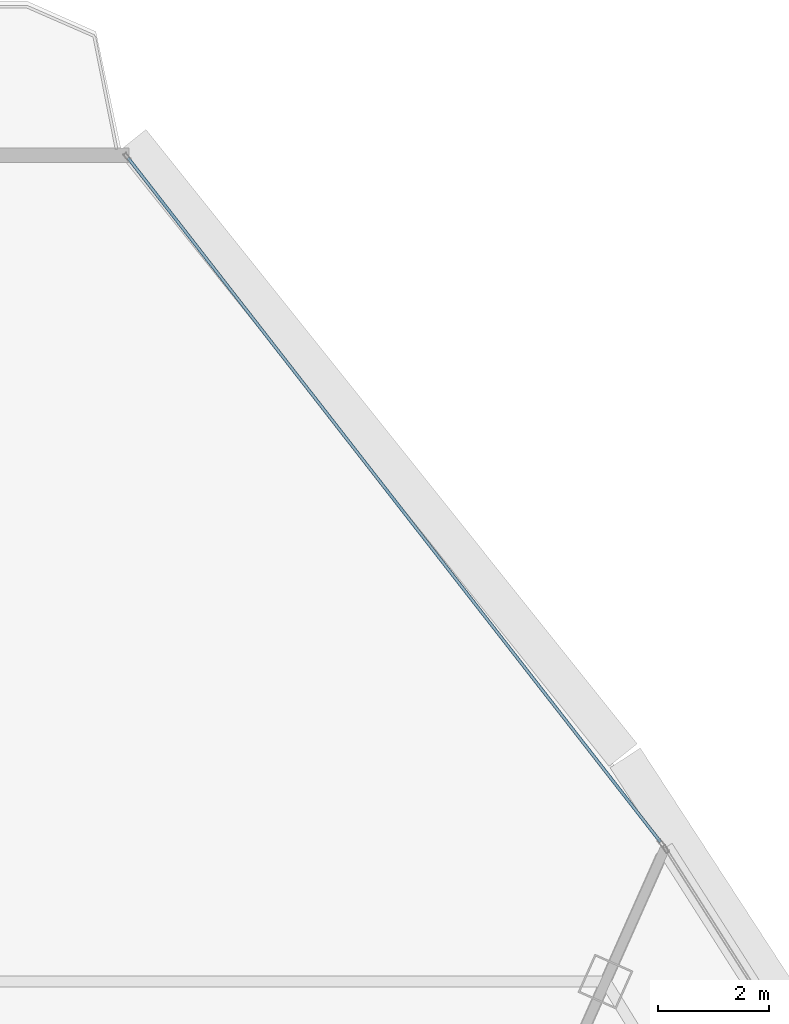
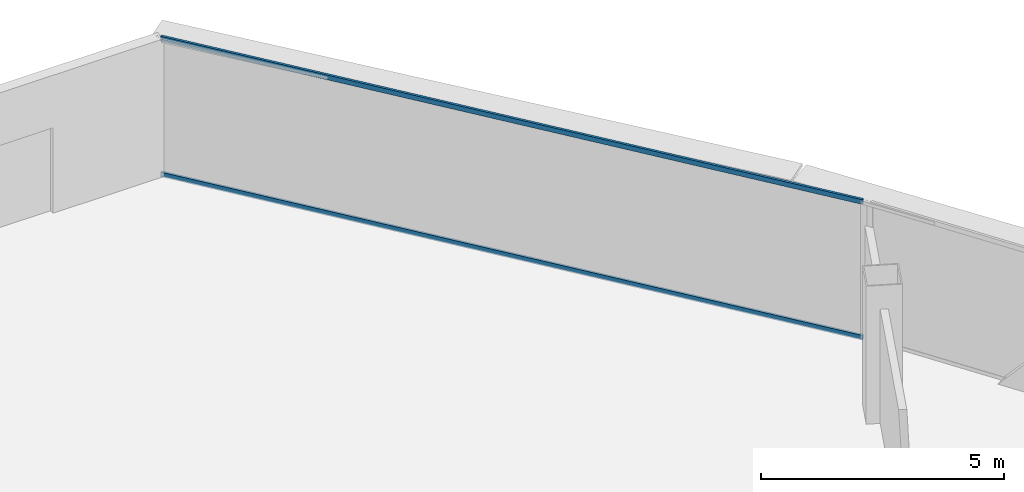
# One storey, part 27 of 40: 2 members, 1 element without a shape of its own.
"""IFC4 building model written with IfcOpenShell, lengths in metres."""

from ifc_helpers import new_model, si_unit, direction, frame, origin, origin_2d, place, context, subcontext, project, spatial, hollow_rectangle, extrude, source, transform, mapped, material, layer, layer_set, material_profile, profile_set, type_object, element, aggregate, save


model = new_model("IFC4")

# Units and contexts
model_context = context("Model", 3, precision=1e-05, world=origin(), true_north=direction((0.0, 1.0)))
body_context = subcontext(model_context, "Body", "Model", "MODEL_VIEW")
ifc_project = project(units=[si_unit("LENGTHUNIT", "METRE"), si_unit("AREAUNIT", "SQUARE_METRE"), si_unit("VOLUMEUNIT", "CUBIC_METRE"), si_unit("PLANEANGLEUNIT", "RADIAN"), si_unit("MASSUNIT", "GRAM", prefix="KILO"), si_unit("THERMODYNAMICTEMPERATUREUNIT", "KELVIN"), si_unit("POWERUNIT", "WATT")], contexts=[model_context])

# Site, building, storey
site_placement = place(None, origin())
site = spatial("IfcSite", under=ifc_project, at=site_placement, CompositionType="ELEMENT")
building_placement = place(site_placement, origin())
building = spatial("IfcBuilding", under=site, at=building_placement, Name="Yunzhuo Pagoda Commons", CompositionType="ELEMENT")
storey_placement = place(building_placement, frame((0.0, 0.0, 292.47998046875)))
storey = spatial("IfcBuildingStorey", under=building, at=storey_placement, Name="L73", CompositionType="ELEMENT", Elevation=292.47998046875)

# Curtain wall, members
ifc_material = material(Name="Anodized aluminium 6063-T6", Category="aluminium")
ifc_layer = layer(ifc_material, 0.139892578125)
ifc_layer_set = layer_set([ifc_layer], Name="Anodized aluminium 6063-T6")
curtain_wall_type = type_object("IfcCurtainWallType", Name="CW-HI High-Zone Ribbon Curtain Wall", PredefinedType="NOTDEFINED", material=ifc_layer_set)
curtain_wall_placement = place(storey_placement, origin())
curtain_wall = element("IfcCurtainWall", 1, at=curtain_wall_placement, inside=storey, type_object=curtain_wall_type, Name="L73 curtain wall CW-L73-F2B5", PredefinedType="NOTDEFINED")
ifc_material_profile = material_profile(ifc_material, hollow_rectangle(XDim=0.054931640625, YDim=0.1201171875, WallThickness=0.00341796875, at=origin_2d()), Name="Anodized aluminium 6063-T6")
ifc_profile_set = profile_set([ifc_material_profile], Name="Anodized aluminium 6063-T6")
member_type = type_object("IfcMemberType", Name="CW-HI-T Transom RHS 120x55x3.5", PredefinedType="USERDEFINED", material=ifc_profile_set)
shared_shape = source(origin(), body_context, "Body", "SweptSolid", [
    extrude(hollow_rectangle(XDim=0.054931640625, YDim=0.1201171875, WallThickness=0.00341796875, at=origin_2d()), origin(), (0.0, 0.0, 1.0), 15.608642578125),
])
member_1_placement = place(storey_placement, frame((61.1044921875, 63.426025390625, 0.027587890625), z_axis=(-0.614253513631, 0.789108751055, 0.0), x_axis=(-0.789108751055, -0.614253513631, 0.0)))
member_1 = element("IfcMember", 2, at=member_1_placement, type_object=member_type, Name="CW transom 1.1", ObjectType="TRANSOM", PredefinedType="USERDEFINED", context=body_context, shape_type="MappedRepresentation", body=[
    mapped(shared_shape, transform((0.0, 0.0, 0.0), scale=1.0)),
])
member_2_placement = place(storey_placement, frame((61.1044921875, 63.426025390625, 3.442626953125), z_axis=(-0.614253513631, 0.789108751055, 0.0), x_axis=(-0.789108751055, -0.614253513631, 0.0)))
member_2 = element("IfcMember", 3, at=member_2_placement, type_object=member_type, Name="CW transom 1.2", ObjectType="TRANSOM", PredefinedType="USERDEFINED", context=body_context, shape_type="MappedRepresentation", body=[
    mapped(shared_shape, transform((0.0, 0.0, 0.0), scale=1.0)),
])
aggregate(curtain_wall, [member_1, member_2])

save(model, "model.ifc")
